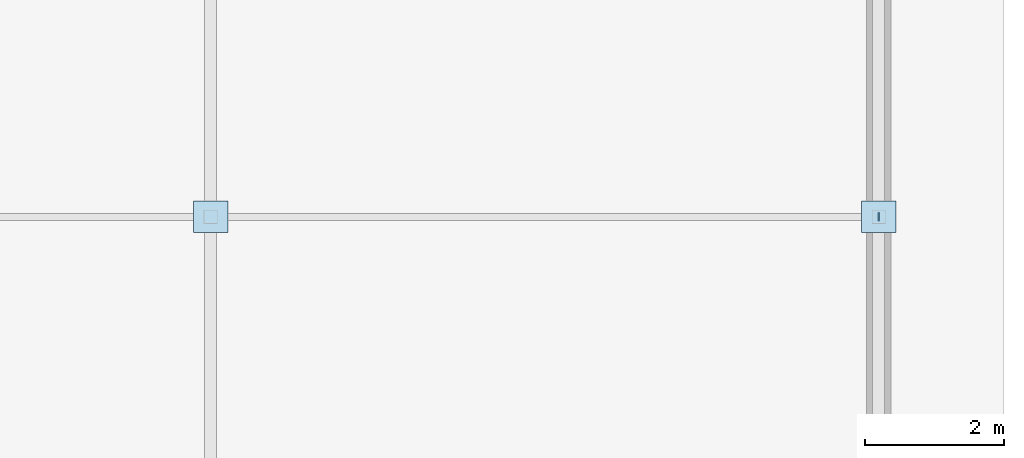
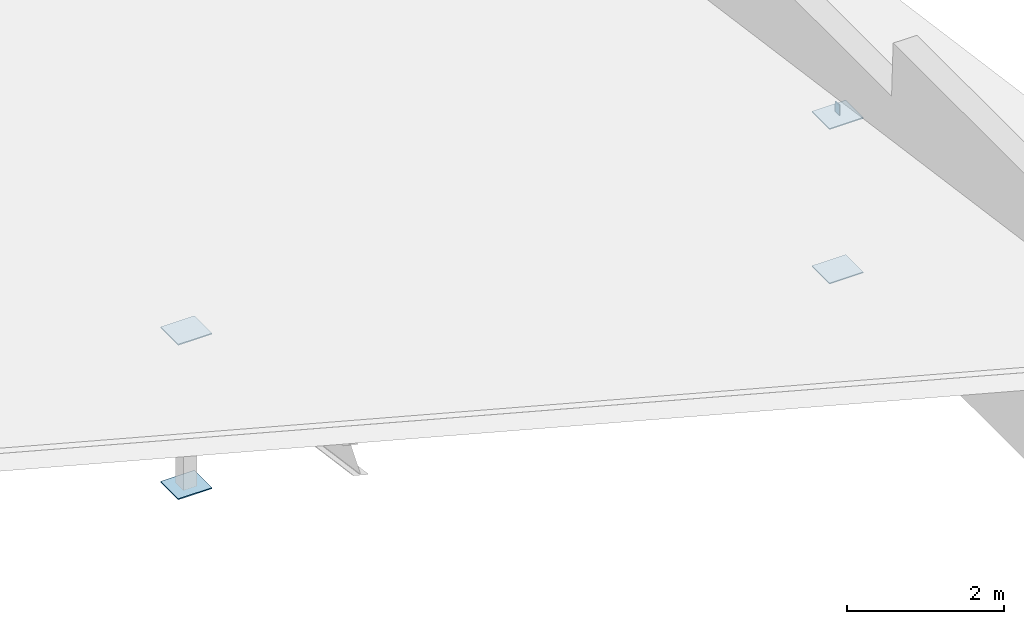
# One storey, part 57 of 70: 5 plates.
"""IFC4 building model written with IfcOpenShell, lengths in metres."""

from ifc_helpers import new_model, si_unit, direction, frame, origin, origin_2d, place, context, subcontext, project, spatial, rectangle, extrude, material, layer, layer_set, type_object, element, save


model = new_model("IFC4")

# Units and contexts
model_context = context("Model", 3, precision=1e-05, world=origin(), true_north=direction((0.0, 1.0)))
body_context = subcontext(model_context, "Body", "Model", "MODEL_VIEW")
ifc_project = project(units=[si_unit("LENGTHUNIT", "METRE"), si_unit("AREAUNIT", "SQUARE_METRE"), si_unit("VOLUMEUNIT", "CUBIC_METRE"), si_unit("PLANEANGLEUNIT", "RADIAN"), si_unit("MASSUNIT", "GRAM", prefix="KILO")], contexts=[model_context])

# Site, building, storey
site_placement = place(None, origin())
site = spatial("IfcSite", under=ifc_project, at=site_placement, CompositionType="ELEMENT")
building_placement = place(site_placement, origin())
building = spatial("IfcBuilding", under=site, at=building_placement, Name="Vondelvale Polytechnic", CompositionType="ELEMENT")
storey_placement = place(building_placement, frame((0.0, 0.0, 22.199951171875)))
storey = spatial("IfcBuildingStorey", under=building, at=storey_placement, Name="L05", CompositionType="ELEMENT", Elevation=22.199951171875)

# Plates
ifc_material = material(Name="Steel Grade 350 (fy = 340 MPa)", Category="steel")
ifc_layer_1 = layer(ifc_material, 0.011962890625)
ifc_layer_set_1 = layer_set([ifc_layer_1], Name="PLATE-CAP-C05")
plate_type_1 = type_object("IfcPlateType", Name="PLATE-CAP-C05", PredefinedType="USERDEFINED", material=ifc_layer_set_1)
plate_placement = place(storey_placement, frame((172.800048828125, 10.199951171875, 2.25048828125), z_axis=(0.0, 0.0, 1.0), x_axis=(1.0, 0.0, 0.0)))
element("IfcPlate", 1, at=plate_placement, inside=storey, type_object=plate_type_1, Name="Lecture wing purlin East end cap plate 10", ObjectType="CAP_PLATE", PredefinedType="USERDEFINED", context=body_context, shape_type="SweptSolid", body=[
    extrude(rectangle(XDim=0.011962890625, YDim=0.110107421875, at=origin_2d()), origin(), (0.0, 0.0, 1.0), 0.159912109375),
])
ifc_layer_2 = layer(ifc_material, 0.01611328125)
ifc_layer_set_2 = layer_set([ifc_layer_2], Name="PLATE-GUSSET-16")
plate_type_2 = type_object("IfcPlateType", Name="PLATE-GUSSET-16", PredefinedType="USERDEFINED", material=ifc_layer_set_2)
for number, where, z_axis, x_axis, name in (
    (2, (163.199951171875, 10.199951171875, -0.18798828125), (0.0, 0.0, 1.0), (1.0, 0.0, 0.0), "Lecture roof post plate"),
    (3, (163.199951171875, 10.199951171875, 2.21923828125), (0.0, 0.0, 1.0), (1.0, 0.0, 0.0), "Lecture roof post plate"),
    (4, (172.800048828125, 10.199951171875, -0.18798828125), (0.0, 0.0, 1.0), (1.0, 0.0, 0.0), "Lecture roof post plate"),
    (5, (172.800048828125, 10.199951171875, 2.21923828125), (0.0, 0.0, 1.0), (1.0, 0.0, 0.0), "Lecture roof post plate"),
):
    element("IfcPlate", number, at=place(storey_placement, frame(where, z_axis=z_axis, x_axis=x_axis)), inside=storey, type_object=plate_type_2, Name=name, ObjectType="GUSSET_PLATE", PredefinedType="USERDEFINED", context=body_context, shape_type="SweptSolid", body=[
        extrude(rectangle(XDim=0.5, YDim=0.449951171875, at=origin_2d()), origin(), (0.0, 0.0, 1.0), 0.01611328125),
    ])

save(model, "model.ifc")
